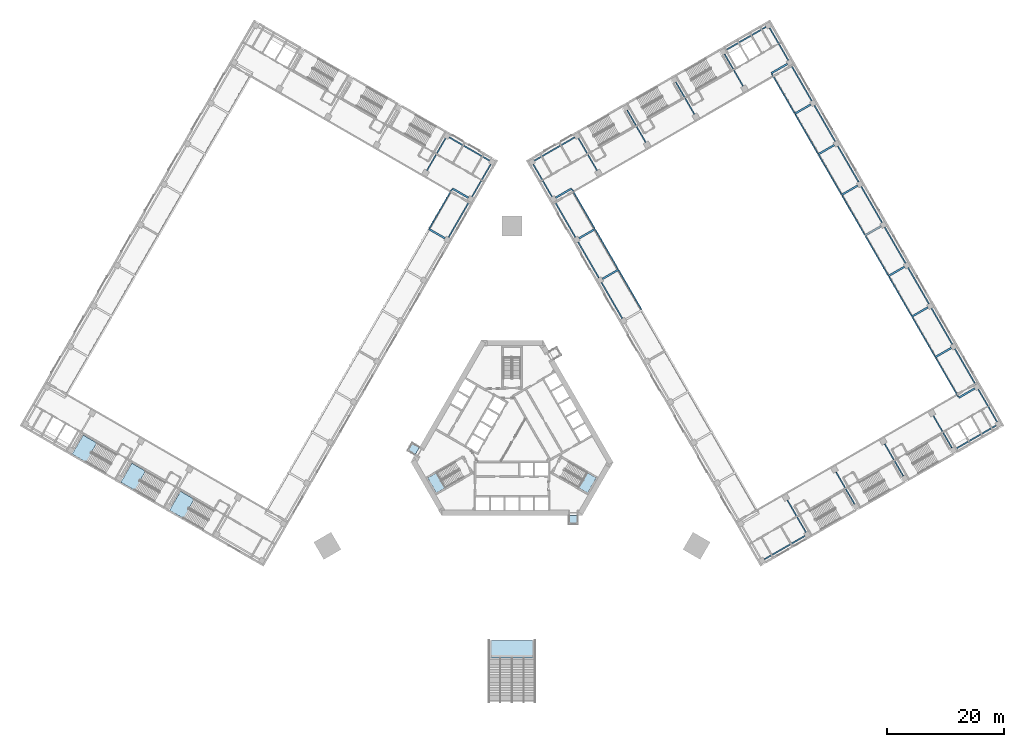
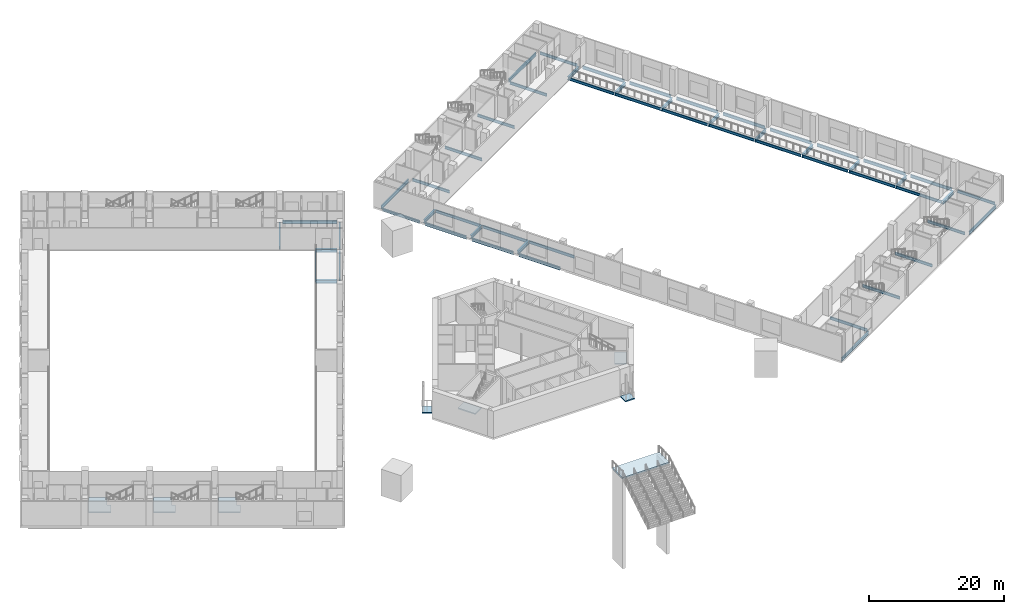
# One storey, part 4 of 28: 56 beams, 8 slabs, 5 elements without a shape of their own.
"""IFC4 building model written with IfcOpenShell, lengths in metres."""

from ifc_helpers import new_model, si_unit, direction, frame, origin, origin_2d, place, context, subcontext, project, spatial, polyline, i_section, outline, extrude, material, layer, layer_set, material_profile, profile_set, type_object, element, aggregate, save


model = new_model("IFC4")

# Units and contexts
model_context = context("Model", 3, precision=1e-05, world=origin(), true_north=direction((0.0, 1.0)))
body_context = subcontext(model_context, "Body", "Model", "MODEL_VIEW")
ifc_project = project(units=[si_unit("LENGTHUNIT", "METRE"), si_unit("AREAUNIT", "SQUARE_METRE"), si_unit("VOLUMEUNIT", "CUBIC_METRE"), si_unit("PLANEANGLEUNIT", "RADIAN"), si_unit("MASSUNIT", "GRAM", prefix="KILO")], contexts=[model_context])

# Site, building, storey
site_placement = place(None, origin())
site = spatial("IfcSite", under=ifc_project, at=site_placement, CompositionType="ELEMENT")
building_placement = place(site_placement, origin())
building = spatial("IfcBuilding", under=site, at=building_placement, Name="Mestral Congress Tower", CompositionType="ELEMENT")
storey_placement = place(building_placement, frame((0.0, 0.0, 11.39990234375)))
storey = spatial("IfcBuildingStorey", under=building, at=storey_placement, Name="L02", CompositionType="ELEMENT", Elevation=11.39990234375)

# Beams
ifc_material_1 = material(Name="Steel S355", Category="steel")
ifc_material_profile_1 = material_profile(ifc_material_1, i_section(OverallWidth=0.300048828125, OverallDepth=0.60009765625, WebThickness=0.015380859375, FlangeThickness=0.030029296875, FilletRadius=0.027099609375, at=origin_2d()), Name="HEB 600")
ifc_profile_set_1 = profile_set([ifc_material_profile_1], Name="Steel S355")
beam_type_1 = type_object("IfcBeamType", Name="Floor beam HEB 600 S355", PredefinedType="BEAM", material=ifc_profile_set_1)
beam_1_placement = place(storey_placement, frame((79.027587890625, 8.67626953125, -0.599853515625), z_axis=(-0.866035871367, -0.499981869177, 0.0), x_axis=(0.499981869177, -0.866035871367, 0.0)))
element("IfcBeam", 1, at=beam_1_placement, inside=storey, type_object=beam_type_1, Name="BM-L02-E-G02F", PredefinedType="BEAM", context=body_context, shape_type="SweptSolid", body=[
    extrude(i_section(OverallWidth=0.300048828125, OverallDepth=0.60009765625, WebThickness=0.015380859375, FlangeThickness=0.030029296875, FilletRadius=0.027099609375, at=origin_2d()), origin(), (0.0, 0.0, 1.0), 3.14990234375),
])
for number, where, z_axis, x_axis, name in (
    (2, (75.027587890625, 15.6044921875, -0.599853515625), (-0.866002311072, -0.500039995618, 0.0), (0.500039995618, -0.866002311072, 0.0), "BM-L02-E-G03F"),
    (3, (71.027587890625, 22.53271484375, -0.599853515625), (-0.866002311072, -0.500039995618, 0.0), (0.500039995618, -0.866002311072, 0.0), "BM-L02-E-G04F"),
):
    element("IfcBeam", number, at=place(storey_placement, frame(where, z_axis=z_axis, x_axis=x_axis)), inside=storey, type_object=beam_type_1, Name=name, PredefinedType="BEAM", context=body_context, shape_type="SweptSolid", body=[
        extrude(i_section(OverallWidth=0.300048828125, OverallDepth=0.60009765625, WebThickness=0.015380859375, FlangeThickness=0.030029296875, FilletRadius=0.027099609375, at=origin_2d()), origin(), (0.0, 0.0, 1.0), 3.150146484375),
    ])
for number, where, z_axis, x_axis, name in (
    (4, (67.027587890625, 29.460693359375, -0.599853515625), (-0.866035871367, -0.499981869177, 0.0), (0.499981869177, -0.866035871367, 0.0), "BM-L02-E-G05F"),
    (5, (63.027587890625, 36.388916015625, -0.599853515625), (-0.866035871367, -0.499981869177, 0.0), (0.499981869177, -0.866035871367, 0.0), "BM-L02-E-G06F"),
    (6, (59.027587890625, 43.317138671875, -0.599853515625), (-0.866035871367, -0.499981869177, 0.0), (0.499981869177, -0.866035871367, 0.0), "BM-L02-E-G07F"),
    (7, (15.4501953125, 27.3955078125, -0.599853515625), (0.866035871367, 0.499981869177, 0.0), (-0.499981869177, 0.866035871367, 0.0), "BM-L02-E-G08A"),
    (8, (55.027587890625, 50.245361328125, -0.599853515625), (-0.866035871367, -0.499981869177, 0.0), (0.499981869177, -0.866035871367, 0.0), "BM-L02-E-G08F"),
):
    element("IfcBeam", number, at=place(storey_placement, frame(where, z_axis=z_axis, x_axis=x_axis)), inside=storey, type_object=beam_type_1, Name=name, PredefinedType="BEAM", context=body_context, shape_type="SweptSolid", body=[
        extrude(i_section(OverallWidth=0.300048828125, OverallDepth=0.60009765625, WebThickness=0.015380859375, FlangeThickness=0.030029296875, FilletRadius=0.027099609375, at=origin_2d()), origin(), (0.0, 0.0, 1.0), 3.14990234375),
    ])
beam_2_placement = place(storey_placement, frame((11.4501953125, 34.323486328125, -0.599853515625), z_axis=(0.866002311072, 0.500039995618, 0.0), x_axis=(-0.500039995618, 0.866002311072, 0.0)))
element("IfcBeam", 9, at=beam_2_placement, inside=storey, type_object=beam_type_1, Name="BM-L02-E-G09A", PredefinedType="BEAM", context=body_context, shape_type="SweptSolid", body=[
    extrude(i_section(OverallWidth=0.300048828125, OverallDepth=0.60009765625, WebThickness=0.015380859375, FlangeThickness=0.030029296875, FilletRadius=0.027099609375, at=origin_2d()), origin(), (0.0, 0.0, 1.0), 3.150146484375),
])
beam_3_placement = place(storey_placement, frame((51.027587890625, 57.173583984375, -0.599853515625), z_axis=(-0.866035871367, -0.499981869177, 0.0), x_axis=(0.499981869177, -0.866035871367, 0.0)))
element("IfcBeam", 10, at=beam_3_placement, inside=storey, type_object=beam_type_1, Name="BM-L02-E-G09F", PredefinedType="BEAM", context=body_context, shape_type="SweptSolid", body=[
    extrude(i_section(OverallWidth=0.300048828125, OverallDepth=0.60009765625, WebThickness=0.015380859375, FlangeThickness=0.030029296875, FilletRadius=0.027099609375, at=origin_2d()), origin(), (0.0, 0.0, 1.0), 3.14990234375),
])
beam_4_placement = place(storey_placement, frame((7.4501953125, 41.251708984375, -0.599853515625), z_axis=(0.866002311072, 0.500039995618, 0.0), x_axis=(-0.500039995618, 0.866002311072, 0.0)))
element("IfcBeam", 11, at=beam_4_placement, inside=storey, type_object=beam_type_1, Name="BM-L02-E-G10A", PredefinedType="BEAM", context=body_context, shape_type="SweptSolid", body=[
    extrude(i_section(OverallWidth=0.300048828125, OverallDepth=0.60009765625, WebThickness=0.015380859375, FlangeThickness=0.030029296875, FilletRadius=0.027099609375, at=origin_2d()), origin(), (0.0, 0.0, 1.0), 3.150146484375),
])
beam_5_placement = place(storey_placement, frame((47.027587890625, 64.101806640625, -0.599853515625), z_axis=(-0.866035871367, -0.499981869177, 0.0), x_axis=(0.499981869177, -0.866035871367, 0.0)))
element("IfcBeam", 12, at=beam_5_placement, inside=storey, type_object=beam_type_1, Name="BM-L02-E-G10F", PredefinedType="BEAM", context=body_context, shape_type="SweptSolid", body=[
    extrude(i_section(OverallWidth=0.300048828125, OverallDepth=0.60009765625, WebThickness=0.015380859375, FlangeThickness=0.030029296875, FilletRadius=0.027099609375, at=origin_2d()), origin(), (0.0, 0.0, 1.0), 3.14990234375),
])
for number, where, z_axis, x_axis, name in (
    (13, (-7.4501953125, 41.251708984375, -0.599853515625), (-0.866002311072, 0.500039995618, 0.0), (-0.500039995618, -0.866002311072, 0.0), "BM-L02-W-G02A"),
    (14, (-11.4501953125, 34.323486328125, -0.599853515625), (-0.866002311072, 0.500039995618, 0.0), (-0.500039995618, -0.866002311072, 0.0), "BM-L02-W-G03A"),
):
    element("IfcBeam", number, at=place(storey_placement, frame(where, z_axis=z_axis, x_axis=x_axis)), inside=storey, type_object=beam_type_1, Name=name, PredefinedType="BEAM", context=body_context, shape_type="SweptSolid", body=[
        extrude(i_section(OverallWidth=0.300048828125, OverallDepth=0.60009765625, WebThickness=0.015380859375, FlangeThickness=0.030029296875, FilletRadius=0.027099609375, at=origin_2d()), origin(), (0.0, 0.0, 1.0), 3.150146484375),
    ])
ifc_material_profile_2 = material_profile(ifc_material_1, i_section(OverallWidth=0.199951171875, OverallDepth=0.5, WebThickness=0.01025390625, FlangeThickness=0.01611328125, FilletRadius=0.02099609375, at=origin_2d()), Name="IPE 500")
ifc_profile_set_2 = profile_set([ifc_material_profile_2], Name="Steel S355")
beam_type_2 = type_object("IfcBeamType", Name="Floor beam IPE 500 S355", PredefinedType="BEAM", material=ifc_profile_set_2)
beam_6_placement = place(storey_placement, frame((6.83544921875, 41.41650390625, -0.5498046875), z_axis=(-0.499999833739, 0.866025499775, 0.0), x_axis=(-0.866025499775, -0.499999833739, 0.0)))
element("IfcBeam", 15, at=beam_6_placement, inside=storey, type_object=beam_type_2, Name="BM-L02-E-U10A", PredefinedType="BEAM", context=body_context, shape_type="SweptSolid", body=[
    extrude(i_section(OverallWidth=0.199951171875, OverallDepth=0.5, WebThickness=0.01025390625, FlangeThickness=0.01611328125, FilletRadius=0.02099609375, at=origin_2d()), origin(), (0.0, 0.0, 1.0), 6.39990234375),
])
for number, where, z_axis, x_axis, name in (
    (16, (50.193115234375, -15.881103515625, -0.5498046875), (-0.500005339912, 0.866022320763, 0.0), (-0.866022320763, -0.500005339912, 0.0), "BM-L02-E-U01B"),
    (17, (14.51806640625, 45.909912109375, -0.5498046875), (-0.500005339912, 0.866022320763, 0.0), (-0.866022320763, -0.500005339912, 0.0), "BM-L02-E-U10B"),
    (18, (58.507080078125, -11.0810546875, -0.5498046875), (-0.500005339912, 0.866022320763, 0.0), (-0.866022320763, -0.500005339912, 0.0), "BM-L02-E-U01C"),
    (19, (22.83203125, 50.709716796875, -0.5498046875), (-0.500005339912, 0.866022320763, 0.0), (-0.866022320763, -0.500005339912, 0.0), "BM-L02-E-U10C"),
    (20, (66.82080078125, -6.281005859375, -0.5498046875), (-0.500005339912, 0.866022320763, 0.0), (-0.866022320763, -0.500005339912, 0.0), "BM-L02-E-U01D"),
    (21, (31.145751953125, 55.509765625, -0.5498046875), (-0.500005339912, 0.866022320763, 0.0), (-0.866022320763, -0.500005339912, 0.0), "BM-L02-E-U10D"),
):
    element("IfcBeam", number, at=place(storey_placement, frame(where, z_axis=z_axis, x_axis=x_axis)), inside=storey, type_object=beam_type_2, Name=name, PredefinedType="BEAM", context=body_context, shape_type="SweptSolid", body=[
        extrude(i_section(OverallWidth=0.199951171875, OverallDepth=0.5, WebThickness=0.01025390625, FlangeThickness=0.01611328125, FilletRadius=0.02099609375, at=origin_2d()), origin(), (0.0, 0.0, 1.0), 6.35009765625),
    ])
beam_7_placement = place(storey_placement, frame((75.134765625, -1.481201171875, -0.5498046875), z_axis=(-0.499988692146, 0.866031932279, 0.0), x_axis=(-0.866031932279, -0.499988692146, 0.0)))
element("IfcBeam", 22, at=beam_7_placement, inside=storey, type_object=beam_type_2, Name="BM-L02-E-U01E", PredefinedType="BEAM", context=body_context, shape_type="SweptSolid", body=[
    extrude(i_section(OverallWidth=0.199951171875, OverallDepth=0.5, WebThickness=0.01025390625, FlangeThickness=0.01611328125, FilletRadius=0.02099609375, at=origin_2d()), origin(), (0.0, 0.0, 1.0), 6.350341796875),
])
beam_8_placement = place(storey_placement, frame((39.459716796875, 60.309814453125, -0.5498046875), z_axis=(-0.500005339912, 0.866022320763, 0.0), x_axis=(-0.866022320763, -0.500005339912, 0.0)))
element("IfcBeam", 23, at=beam_8_placement, inside=storey, type_object=beam_type_2, Name="BM-L02-E-U10E", PredefinedType="BEAM", context=body_context, shape_type="SweptSolid", body=[
    extrude(i_section(OverallWidth=0.199951171875, OverallDepth=0.5, WebThickness=0.01025390625, FlangeThickness=0.01611328125, FilletRadius=0.02099609375, at=origin_2d()), origin(), (0.0, 0.0, 1.0), 6.35009765625),
])
beam_9_placement = place(storey_placement, frame((82.84228515625, 2.968994140625, -0.5498046875), z_axis=(-0.499999833739, 0.866025499775, 0.0), x_axis=(-0.866025499775, -0.499999833739, 0.0)))
element("IfcBeam", 24, at=beam_9_placement, inside=storey, type_object=beam_type_2, Name="BM-L02-E-U01F", PredefinedType="BEAM", context=body_context, shape_type="SweptSolid", body=[
    extrude(i_section(OverallWidth=0.199951171875, OverallDepth=0.5, WebThickness=0.01025390625, FlangeThickness=0.01611328125, FilletRadius=0.02099609375, at=origin_2d()), origin(), (0.0, 0.0, 1.0), 6.39990234375),
])
beam_10_placement = place(storey_placement, frame((47.1923828125, 64.716552734375, -0.5498046875), z_axis=(-0.500028443584, 0.866008981251, 0.0), x_axis=(-0.866008981251, -0.500028443584, 0.0)))
element("IfcBeam", 25, at=beam_10_placement, inside=storey, type_object=beam_type_2, Name="BM-L02-E-U10F", PredefinedType="BEAM", context=body_context, shape_type="SweptSolid", body=[
    extrude(i_section(OverallWidth=0.199951171875, OverallDepth=0.5, WebThickness=0.01025390625, FlangeThickness=0.01611328125, FilletRadius=0.02099609375, at=origin_2d()), origin(), (0.0, 0.0, 1.0), 6.400146484375),
])
for number, where, z_axis, x_axis, name in (
    (26, (22.103271484375, 22.172119140625, -0.5498046875), (-0.500006057782, 0.866021906294, 0.0), (-0.866021906294, -0.500006057782, 0.0), "BM-L02-E-T07A"),
    (27, (18.103271484375, 29.100341796875, -0.5498046875), (-0.500006057782, 0.866021906294, 0.0), (-0.866021906294, -0.500006057782, 0.0), "BM-L02-E-T08A"),
    (28, (14.103271484375, 36.028564453125, -0.5498046875), (-0.500006057782, 0.866021906294, 0.0), (-0.866021906294, -0.500006057782, 0.0), "BM-L02-E-T09A"),
):
    element("IfcBeam", number, at=place(storey_placement, frame(where, z_axis=z_axis, x_axis=x_axis)), inside=storey, type_object=beam_type_2, Name=name, PredefinedType="BEAM", context=body_context, shape_type="SweptSolid", body=[
        extrude(i_section(OverallWidth=0.199951171875, OverallDepth=0.5, WebThickness=0.01025390625, FlangeThickness=0.01611328125, FilletRadius=0.02099609375, at=origin_2d()), origin(), (0.0, 0.0, 1.0), 7.7001953125),
    ])
beam_11_placement = place(storey_placement, frame((76.224609375, 7.231201171875, -0.5498046875), z_axis=(-0.500019787375, 0.866013979237, 0.0), x_axis=(-0.866013979237, -0.500019787375, 0.0)))
element("IfcBeam", 29, at=beam_11_placement, inside=storey, type_object=beam_type_2, Name="BM-L02-E-T02F", PredefinedType="BEAM", context=body_context, shape_type="SweptSolid", body=[
    extrude(i_section(OverallWidth=0.199951171875, OverallDepth=0.5, WebThickness=0.01025390625, FlangeThickness=0.01611328125, FilletRadius=0.02099609375, at=origin_2d()), origin(), (0.0, 0.0, 1.0), 7.699951171875),
])
for number, where, z_axis, x_axis, name in (
    (30, (72.224609375, 14.1591796875, -0.5498046875), (-0.500006057782, 0.866021906294, 0.0), (-0.866021906294, -0.500006057782, 0.0), "BM-L02-E-T03F"),
    (31, (68.224609375, 21.08740234375, -0.5498046875), (-0.500006057782, 0.866021906294, 0.0), (-0.866021906294, -0.500006057782, 0.0), "BM-L02-E-T04F"),
    (32, (64.224609375, 28.015625, -0.5498046875), (-0.500006057782, 0.866021906294, 0.0), (-0.866021906294, -0.500006057782, 0.0), "BM-L02-E-T05F"),
    (33, (60.224609375, 34.94384765625, -0.5498046875), (-0.500006057782, 0.866021906294, 0.0), (-0.866021906294, -0.500006057782, 0.0), "BM-L02-E-T06F"),
    (34, (56.224609375, 41.8720703125, -0.5498046875), (-0.500006057782, 0.866021906294, 0.0), (-0.866021906294, -0.500006057782, 0.0), "BM-L02-E-T07F"),
    (35, (52.224609375, 48.80029296875, -0.5498046875), (-0.500006057782, 0.866021906294, 0.0), (-0.866021906294, -0.500006057782, 0.0), "BM-L02-E-T08F"),
    (36, (48.224609375, 55.728515625, -0.5498046875), (-0.500006057782, 0.866021906294, 0.0), (-0.866021906294, -0.500006057782, 0.0), "BM-L02-E-T09F"),
):
    element("IfcBeam", number, at=place(storey_placement, frame(where, z_axis=z_axis, x_axis=x_axis)), inside=storey, type_object=beam_type_2, Name=name, PredefinedType="BEAM", context=body_context, shape_type="SweptSolid", body=[
        extrude(i_section(OverallWidth=0.199951171875, OverallDepth=0.5, WebThickness=0.01025390625, FlangeThickness=0.01611328125, FilletRadius=0.02099609375, at=origin_2d()), origin(), (0.0, 0.0, 1.0), 7.7001953125),
    ])
beam_12_placement = place(storey_placement, frame((-3.635498046875, 46.958984375, -0.5498046875), z_axis=(-0.499999833739, -0.866025499775, 0.0), x_axis=(0.866025499775, -0.499999833739, 0.0)))
element("IfcBeam", 37, at=beam_12_placement, inside=storey, type_object=beam_type_2, Name="BM-L02-W-U01A", PredefinedType="BEAM", context=body_context, shape_type="SweptSolid", body=[
    extrude(i_section(OverallWidth=0.199951171875, OverallDepth=0.5, WebThickness=0.01025390625, FlangeThickness=0.01611328125, FilletRadius=0.02099609375, at=origin_2d()), origin(), (0.0, 0.0, 1.0), 6.39990234375),
])
beam_13_placement = place(storey_placement, frame((-11.343017578125, 51.4091796875, -0.5498046875), z_axis=(-0.500005339912, -0.866022320763, 0.0), x_axis=(0.866022320763, -0.500005339912, 0.0)))
element("IfcBeam", 38, at=beam_13_placement, inside=storey, type_object=beam_type_2, Name="BM-L02-W-U01B", PredefinedType="BEAM", context=body_context, shape_type="SweptSolid", body=[
    extrude(i_section(OverallWidth=0.199951171875, OverallDepth=0.5, WebThickness=0.01025390625, FlangeThickness=0.01611328125, FilletRadius=0.02099609375, at=origin_2d()), origin(), (0.0, 0.0, 1.0), 6.35009765625),
])
beam_14_placement = place(storey_placement, frame((-10.253173828125, 42.697021484375, -0.5498046875), z_axis=(-0.500006057782, -0.866021906294, 0.0), x_axis=(0.866021906294, -0.500006057782, 0.0)))
element("IfcBeam", 39, at=beam_14_placement, inside=storey, type_object=beam_type_2, Name="BM-L02-W-T02A", PredefinedType="BEAM", context=body_context, shape_type="SweptSolid", body=[
    extrude(i_section(OverallWidth=0.199951171875, OverallDepth=0.5, WebThickness=0.01025390625, FlangeThickness=0.01611328125, FilletRadius=0.02099609375, at=origin_2d()), origin(), (0.0, 0.0, 1.0), 7.7001953125),
])
ifc_material_profile_3 = material_profile(ifc_material_1, i_section(OverallWidth=0.2099609375, OverallDepth=0.550048828125, WebThickness=0.010986328125, FlangeThickness=0.01708984375, FilletRadius=0.02392578125, at=origin_2d()), Name="IPE 550")
ifc_profile_set_3 = profile_set([ifc_material_profile_3], Name="Steel S355")
beam_type_3 = type_object("IfcBeamType", Name="Floor beam IPE 550 S355", PredefinedType="BEAM", material=ifc_profile_set_3)
for number, where, z_axis, x_axis, name in (
    (40, (18.83544921875, 20.6318359375, -0.574951171875), (-0.499996289485, 0.866027546041, 0.0), (-0.866027546041, -0.499996289485, 0.0), "BM-L02-E-U07A"),
    (41, (14.83544921875, 27.56005859375, -0.574951171875), (-0.499996289485, 0.866027546041, 0.0), (-0.866027546041, -0.499996289485, 0.0), "BM-L02-E-U08A"),
    (42, (10.83544921875, 34.48828125, -0.574951171875), (-0.499996289485, 0.866027546041, 0.0), (-0.866027546041, -0.499996289485, 0.0), "BM-L02-E-U09A"),
):
    element("IfcBeam", number, at=place(storey_placement, frame(where, z_axis=z_axis, x_axis=x_axis)), inside=storey, type_object=beam_type_3, Name=name, PredefinedType="BEAM", context=body_context, shape_type="SweptSolid", body=[
        extrude(i_section(OverallWidth=0.2099609375, OverallDepth=0.550048828125, WebThickness=0.010986328125, FlangeThickness=0.01708984375, FilletRadius=0.02392578125, at=origin_2d()), origin(), (0.0, 0.0, 1.0), 7.10009765625),
    ])
beam_15_placement = place(storey_placement, frame((79.1923828125, 9.291015625, -0.574951171875), z_axis=(-0.500011179042, 0.866018949465, 0.0), x_axis=(-0.866018949465, -0.500011179042, 0.0)))
element("IfcBeam", 43, at=beam_15_placement, inside=storey, type_object=beam_type_3, Name="BM-L02-E-U02F", PredefinedType="BEAM", context=body_context, shape_type="SweptSolid", body=[
    extrude(i_section(OverallWidth=0.2099609375, OverallDepth=0.550048828125, WebThickness=0.010986328125, FlangeThickness=0.01708984375, FilletRadius=0.02392578125, at=origin_2d()), origin(), (0.0, 0.0, 1.0), 7.099853515625),
])
for number, where, z_axis, x_axis, name in (
    (44, (75.1923828125, 16.218994140625, -0.574951171875), (-0.499996289485, 0.866027546041, 0.0), (-0.866027546041, -0.499996289485, 0.0), "BM-L02-E-U03F"),
    (45, (71.1923828125, 23.147216796875, -0.574951171875), (-0.499996289485, 0.866027546041, 0.0), (-0.866027546041, -0.499996289485, 0.0), "BM-L02-E-U04F"),
    (46, (67.1923828125, 30.075439453125, -0.574951171875), (-0.499996289485, 0.866027546041, 0.0), (-0.866027546041, -0.499996289485, 0.0), "BM-L02-E-U05F"),
    (47, (63.1923828125, 37.003662109375, -0.574951171875), (-0.499996289485, 0.866027546041, 0.0), (-0.866027546041, -0.499996289485, 0.0), "BM-L02-E-U06F"),
    (48, (59.1923828125, 43.931884765625, -0.574951171875), (-0.499996289485, 0.866027546041, 0.0), (-0.866027546041, -0.499996289485, 0.0), "BM-L02-E-U07F"),
):
    element("IfcBeam", number, at=place(storey_placement, frame(where, z_axis=z_axis, x_axis=x_axis)), inside=storey, type_object=beam_type_3, Name=name, PredefinedType="BEAM", context=body_context, shape_type="SweptSolid", body=[
        extrude(i_section(OverallWidth=0.2099609375, OverallDepth=0.550048828125, WebThickness=0.010986328125, FlangeThickness=0.01708984375, FilletRadius=0.02392578125, at=origin_2d()), origin(), (0.0, 0.0, 1.0), 7.10009765625),
    ])
for number, where, z_axis, x_axis, name in (
    (49, (55.1923828125, 50.860107421875, -0.574951171875), (-0.500011179042, 0.866018949465, 0.0), (-0.866018949465, -0.500011179042, 0.0), "BM-L02-E-U08F"),
    (50, (51.1923828125, 57.788330078125, -0.574951171875), (-0.500011179042, 0.866018949465, 0.0), (-0.866018949465, -0.500011179042, 0.0), "BM-L02-E-U09F"),
):
    element("IfcBeam", number, at=place(storey_placement, frame(where, z_axis=z_axis, x_axis=x_axis)), inside=storey, type_object=beam_type_3, Name=name, PredefinedType="BEAM", context=body_context, shape_type="SweptSolid", body=[
        extrude(i_section(OverallWidth=0.2099609375, OverallDepth=0.550048828125, WebThickness=0.010986328125, FlangeThickness=0.01708984375, FilletRadius=0.02392578125, at=origin_2d()), origin(), (0.0, 0.0, 1.0), 7.099853515625),
    ])
beam_16_placement = place(storey_placement, frame((-7.285400390625, 40.63720703125, -0.574951171875), z_axis=(-0.499996289485, -0.866027546041, 0.0), x_axis=(0.866027546041, -0.499996289485, 0.0)))
element("IfcBeam", 51, at=beam_16_placement, inside=storey, type_object=beam_type_3, Name="BM-L02-W-U02A", PredefinedType="BEAM", context=body_context, shape_type="SweptSolid", body=[
    extrude(i_section(OverallWidth=0.2099609375, OverallDepth=0.550048828125, WebThickness=0.010986328125, FlangeThickness=0.01708984375, FilletRadius=0.02392578125, at=origin_2d()), origin(), (0.0, 0.0, 1.0), 7.10009765625),
])
ifc_material_profile_4 = material_profile(ifc_material_1, i_section(OverallWidth=0.219970703125, OverallDepth=0.60009765625, WebThickness=0.011962890625, FlangeThickness=0.01904296875, FilletRadius=0.02392578125, at=origin_2d()), Name="IPE 600")
ifc_profile_set_4 = profile_set([ifc_material_profile_4], Name="Steel S355")
beam_type_4 = type_object("IfcBeamType", Name="Floor beam IPE 600 S355", PredefinedType="BEAM", material=ifc_profile_set_4)
beam_17_placement = place(storey_placement, frame((43.10009765625, -20.495849609375, -0.599853515625), z_axis=(0.866026010844, 0.49999894854, 0.0), x_axis=(-0.49999894854, 0.866026010844, 0.0)))
element("IfcBeam", 52, at=beam_17_placement, inside=storey, type_object=beam_type_4, Name="BM-L02-E-V01A", PredefinedType="BEAM", context=body_context, shape_type="SweptSolid", body=[
    extrude(i_section(OverallWidth=0.219970703125, OverallDepth=0.60009765625, WebThickness=0.011962890625, FlangeThickness=0.01904296875, FilletRadius=0.02392578125, at=origin_2d()), origin(), (0.0, 0.0, 1.0), 8.0),
])
beam_18_placement = place(storey_placement, frame((75.74951171875, -1.645751953125, -0.599853515625), z_axis=(0.866018381195, 0.500012163284, 0.0), x_axis=(-0.500012163284, 0.866018381195, 0.0)))
element("IfcBeam", 53, at=beam_18_placement, inside=storey, type_object=beam_type_4, Name="BM-L02-E-V01E", PredefinedType="BEAM", context=body_context, shape_type="SweptSolid", body=[
    extrude(i_section(OverallWidth=0.219970703125, OverallDepth=0.60009765625, WebThickness=0.011962890625, FlangeThickness=0.01904296875, FilletRadius=0.02392578125, at=origin_2d()), origin(), (0.0, 0.0, 1.0), 7.999755859375),
])
for number, where, z_axis, x_axis, name in (
    (54, (3.80029296875, 47.57373046875, -0.599853515625), (0.866026010844, 0.49999894854, 0.0), (-0.49999894854, 0.866026010844, 0.0), "BM-L02-E-V11A"),
    (55, (36.449462890625, 66.423828125, -0.599853515625), (0.866026010844, 0.49999894854, 0.0), (-0.49999894854, 0.866026010844, 0.0), "BM-L02-E-V11E"),
    (56, (-3.80029296875, 47.57373046875, -0.599853515625), (-0.866026010844, 0.49999894854, 0.0), (-0.49999894854, -0.866026010844, 0.0), "BM-L02-W-V01A"),
):
    element("IfcBeam", number, at=place(storey_placement, frame(where, z_axis=z_axis, x_axis=x_axis)), inside=storey, type_object=beam_type_4, Name=name, PredefinedType="BEAM", context=body_context, shape_type="SweptSolid", body=[
        extrude(i_section(OverallWidth=0.219970703125, OverallDepth=0.60009765625, WebThickness=0.011962890625, FlangeThickness=0.01904296875, FilletRadius=0.02392578125, at=origin_2d()), origin(), (0.0, 0.0, 1.0), 8.0),
    ])

# Stair, slab
ifc_material_2 = material(Name="Concrete C60/75", Category="concrete")
stair_type_1 = type_object("IfcStairType", Name="Exit stair 1400", PredefinedType="HALF_TURN_STAIR", material=ifc_material_2)
placement_1 = place(storey_placement, origin())
stair_1 = element("IfcStair", 57, at=placement_1, inside=storey, type_object=stair_type_1, Name="L02 ST1", PredefinedType="HALF_TURN_STAIR")
ifc_layer_1 = layer(ifc_material_2, 0.199951171875)
ifc_layer_set_1 = layer_set([ifc_layer_1], Name="Concrete C60/75")
slab_type_1 = type_object("IfcSlabType", Name="Exit stair landing 200", PredefinedType="LANDING", material=ifc_layer_set_1)
placement_2 = place(storey_placement, frame((0.0, 0.0, 2.2001953125)))
slab_1 = element("IfcSlab", 58, at=placement_2, type_object=slab_type_1, Name="ST1 landing 1", PredefinedType="LANDING", context=body_context, shape_type="SweptSolid", body=[
    extrude(outline(polyline([(11.364501953125, -8.27587890625), (12.849609375, -5.7041015625), (14.39111328125, -6.593994140625), (12.906005859375, -9.166015625), (11.364501953125, -8.27587890625)])), origin(), (0.0, 0.0, 1.0), 0.199951171875),
])
aggregate(stair_1, [slab_1])

stair_2 = element("IfcStair", 59, at=placement_1, inside=storey, type_object=stair_type_1, Name="L02 ST3", PredefinedType="HALF_TURN_STAIR")
slab_2 = element("IfcSlab", 60, at=placement_2, type_object=slab_type_1, Name="ST3 landing 1", PredefinedType="LANDING", context=body_context, shape_type="SweptSolid", body=[
    extrude(outline(polyline([(-12.849609375, -5.7041015625), (-11.364501953125, -8.27587890625), (-12.906005859375, -9.166015625), (-14.39111328125, -6.593994140625), (-12.849609375, -5.7041015625)])), origin(), (0.0, 0.0, 1.0), 0.199951171875),
])
aggregate(stair_2, [slab_2])

# Slabs
ifc_material_3 = material(Name="Concrete C40/50", Category="concrete")
ifc_layer_2 = layer(ifc_material_3, 0.199951171875)
ifc_layer_set_2 = layer_set([ifc_layer_2], Name="Concrete C40/50")
slab_type_2 = type_object("IfcSlabType", Name="Podium door landing slab 200", PredefinedType="LANDING", material=ifc_layer_set_2)
placement_3 = place(storey_placement, frame((0.0, 0.0, -0.199951171875)))
element("IfcSlab", 61, at=placement_3, inside=storey, type_object=slab_type_2, Name="Door landing", PredefinedType="LANDING", context=body_context, shape_type="SweptSolid", body=[
    extrude(outline(polyline([(9.661865234375, -13.0), (9.661865234375, -14.5), (11.26171875, -14.5), (11.26171875, -13.0), (9.661865234375, -13.0)])), origin(), (0.0, 0.0, 1.0), 0.199951171875),
])
element("IfcSlab", 62, at=placement_3, inside=storey, type_object=slab_type_2, Name="Door landing", PredefinedType="LANDING", context=body_context, shape_type="SweptSolid", body=[
    extrude(outline(polyline([(-15.774169921875, -1.32177734375), (-17.0732421875, -0.57177734375), (-17.873291015625, -1.95751953125), (-16.57421875, -2.70751953125), (-15.774169921875, -1.32177734375)])), origin(), (0.0, 0.0, 1.0), 0.199951171875),
])

# Stair, slab
stair_type_2 = type_object("IfcStairType", Name="Podium exit stair 1800", PredefinedType="HALF_TURN_STAIR", material=ifc_material_3)
stair_3 = element("IfcStair", 63, at=placement_1, inside=storey, type_object=stair_type_2, Name="L02 Exit stair W4", PredefinedType="HALF_TURN_STAIR")
ifc_layer_3 = layer(ifc_material_3, 0.199951171875)
ifc_layer_set_3 = layer_set([ifc_layer_3], Name="Concrete C40/50")
slab_type_3 = type_object("IfcSlabType", Name="Podium exit stair landing 200", PredefinedType="LANDING", material=ifc_layer_set_3)
slab_5 = element("IfcSlab", 64, at=placement_2, type_object=slab_type_3, Name="PS-W4 landing 1", PredefinedType="LANDING", context=body_context, shape_type="SweptSolid", body=[
    extrude(outline(polyline([(-54.740234375, -12.216552734375), (-55.64013671875, -13.775390625), (-58.480712890625, -12.135498046875), (-56.605712890625, -8.887939453125), (-54.276123046875, -10.23291015625), (-55.251220703125, -11.921630859375), (-54.740234375, -12.216552734375)])), origin(), (0.0, 0.0, 1.0), 0.199951171875),
])
aggregate(stair_3, [slab_5])

stair_4 = element("IfcStair", 65, at=placement_1, inside=storey, type_object=stair_type_2, Name="L02 Exit stair W5", PredefinedType="HALF_TURN_STAIR")
slab_6 = element("IfcSlab", 66, at=placement_2, type_object=slab_type_3, Name="PS-W5 landing 1", PredefinedType="LANDING", context=body_context, shape_type="SweptSolid", body=[
    extrude(outline(polyline([(-63.053955078125, -7.416748046875), (-63.953857421875, -8.9755859375), (-66.79443359375, -7.33544921875), (-64.91943359375, -4.087890625), (-62.58984375, -5.432861328125), (-63.56494140625, -7.12158203125), (-63.053955078125, -7.416748046875)])), origin(), (0.0, 0.0, 1.0), 0.199951171875),
])
aggregate(stair_4, [slab_6])

stair_5 = element("IfcStair", 67, at=placement_1, inside=storey, type_object=stair_type_2, Name="L02 Exit stair W6", PredefinedType="HALF_TURN_STAIR")
slab_7 = element("IfcSlab", 68, at=placement_2, type_object=slab_type_3, Name="PS-W6 landing 1", PredefinedType="LANDING", context=body_context, shape_type="SweptSolid", body=[
    extrude(outline(polyline([(-71.36767578125, -2.61669921875), (-72.267822265625, -4.175537109375), (-75.1083984375, -2.535400390625), (-73.2333984375, 0.712158203125), (-70.90380859375, -0.6328125), (-71.878662109375, -2.321533203125), (-71.36767578125, -2.61669921875)])), origin(), (0.0, 0.0, 1.0), 0.199951171875),
])
aggregate(stair_5, [slab_7])

# Slab
ifc_material_4 = material(Name="Concrete C35/45", Category="concrete")
ifc_layer_4 = layer(ifc_material_4, 0.300048828125)
ifc_layer_set_4 = layer_set([ifc_layer_4], Name="Concrete C35/45")
slab_type_4 = type_object("IfcSlabType", Name="Stair terrace slab 300", PredefinedType="LANDING", material=ifc_layer_set_4)
slab_8_placement = place(storey_placement, frame((0.0, 0.0, 4.5)))
element("IfcSlab", 69, at=slab_8_placement, inside=storey, type_object=slab_type_4, Name="SL-TERR-1", PredefinedType="LANDING", context=body_context, shape_type="SweptSolid", body=[
    extrude(outline(polyline([(-4.0, -37.327880859375), (4.0, -37.327880859375), (4.0, -34.327880859375), (-4.0, -34.327880859375), (-4.0, -37.327880859375)])), origin(), (0.0, 0.0, 1.0), 0.300048828125),
])

save(model, "model.ifc")
